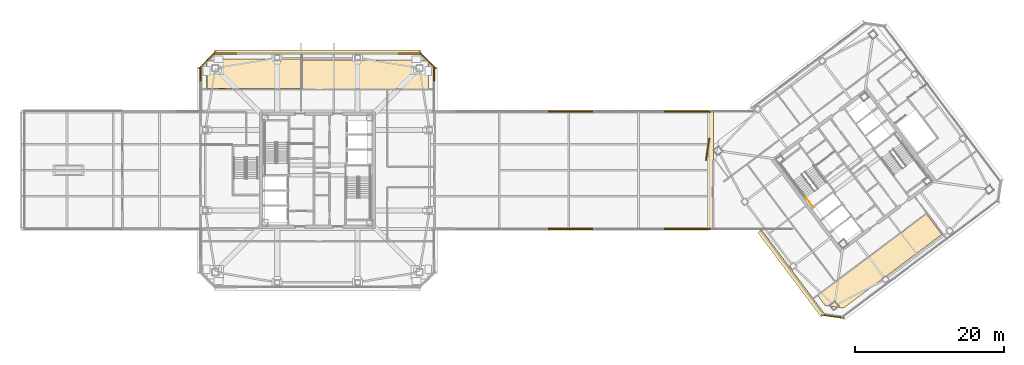
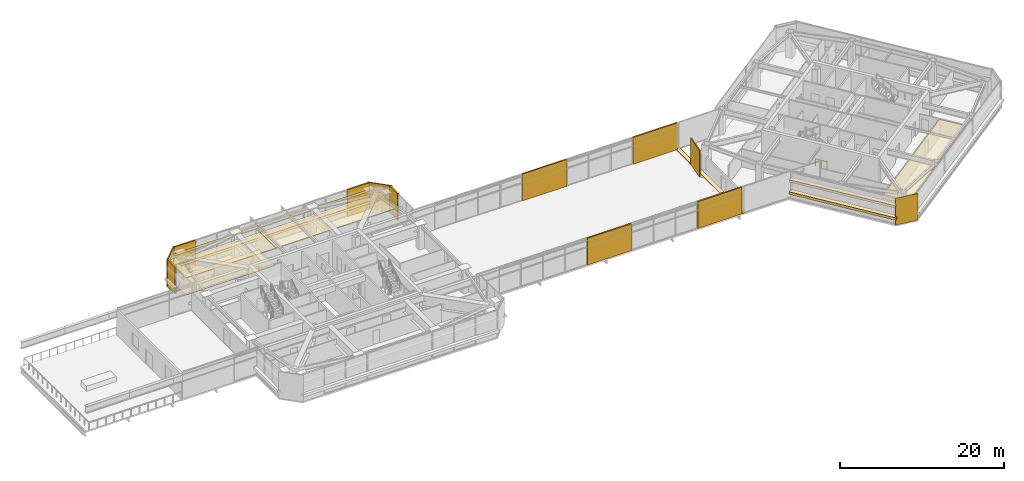
# One storey, part 49 of 51: 21 coverings, 1 railing.
"""IFC4 building model written with IfcOpenShell, lengths in metres."""

from ifc_helpers import new_model, si_unit, direction, frame, origin, origin_2d, place, context, subcontext, project, spatial, polyline, rectangle, outline, extrude, material, layer, layer_set, type_object, element, save


model = new_model("IFC4")

# Units and contexts
model_context = context("Model", 3, precision=1e-05, world=origin(), true_north=direction((0.0, 1.0)))
body_context = subcontext(model_context, "Body", "Model", "MODEL_VIEW")
ifc_project = project(units=[si_unit("LENGTHUNIT", "METRE"), si_unit("AREAUNIT", "SQUARE_METRE"), si_unit("VOLUMEUNIT", "CUBIC_METRE"), si_unit("PLANEANGLEUNIT", "RADIAN"), si_unit("MASSUNIT", "GRAM", prefix="KILO")], contexts=[model_context])

# Site, building, storey
site_placement = place(None, origin())
site = spatial("IfcSite", under=ifc_project, at=site_placement, CompositionType="ELEMENT")
building_placement = place(site_placement, origin())
building = spatial("IfcBuilding", under=site, at=building_placement, Name="Tashvorn Skyway Center", CompositionType="ELEMENT")
storey_placement = place(building_placement, frame((0.0, 0.0, 259.39990234375)))
storey = spatial("IfcBuildingStorey", under=building, at=storey_placement, Name="L70", CompositionType="ELEMENT", Elevation=259.39990234375)

# Coverings
ifc_material_1 = material(Name="Precast concrete C40/50", Category="concrete")
ifc_layer_1 = layer(ifc_material_1, 0.199951171875)
ifc_layer_set_1 = layer_set([ifc_layer_1], Name="Precast concrete C40/50")
covering_type_1 = type_object("IfcCoveringType", Name="COV-BRACE-CLAD", PredefinedType="CLADDING", material=ifc_layer_set_1)
covering_1_placement = place(storey_placement, frame((26.320068359375, 44.800048828125, 0.0), z_axis=(0.0, 0.0, 1.0), x_axis=(0.0, 1.0, 0.0)))
element("IfcCovering", 1, at=covering_1_placement, inside=storey, type_object=covering_type_1, Name="Tower 1 L70 West Curtain Wall B Mega-Brace Cladding Band 1", PredefinedType="CLADDING", context=body_context, shape_type="SweptSolid", body=[
    extrude(rectangle(XDim=1.9599609375, YDim=0.199951171875, at=origin_2d()), origin(), (0.0, 0.0, 1.0), 4.0),
])
for number, where, z_axis, x_axis, name in (
    (2, (29.751220703125, 47.679931640625, 0.0), (0.0, 0.0, 1.0), (1.0, 0.0, 0.0), "Tower 1 L70 North Unitised Curtain Wall Mega-Brace Cladding Band 1"),
    (3, (54.248779296875, 47.679931640625, 0.0), (0.0, 0.0, 1.0), (1.0, 0.0, 0.0), "Tower 1 L70 North Unitised Curtain Wall Mega-Brace Cladding Band 2"),
):
    element("IfcCovering", number, at=place(storey_placement, frame(where, z_axis=z_axis, x_axis=x_axis)), inside=storey, type_object=covering_type_1, Name=name, PredefinedType="CLADDING", context=body_context, shape_type="SweptSolid", body=[
        extrude(rectangle(XDim=3.062255859375, YDim=0.199951171875, at=origin_2d()), origin(), (0.0, 0.0, 1.0), 4.0),
    ])
covering_2_placement = place(storey_placement, frame((57.679931640625, 44.800048828125, 0.0), z_axis=(0.0, 0.0, 1.0), x_axis=(0.0, -1.0, 0.0)))
element("IfcCovering", 4, at=covering_2_placement, inside=storey, type_object=covering_type_1, Name="Tower 1 L70 East Curtain Wall A Mega-Brace Cladding Band 1", PredefinedType="CLADDING", context=body_context, shape_type="SweptSolid", body=[
    extrude(rectangle(XDim=1.9599609375, YDim=0.199951171875, at=origin_2d()), origin(), (0.0, 0.0, 1.0), 4.0),
])
for number, where, z_axis, x_axis, name in (
    (5, (91.5849609375, 24.10009765625, 0.0), (0.0, 0.0, 1.0), (-1.0, 0.0, 0.0), "Sky-Park L70 Bridge South Curtain Wall Mega-Brace Cladding Band 1"),
    (6, (76.010009765625, 24.10009765625, 0.0), (0.0, 0.0, 1.0), (-1.0, 0.0, 0.0), "Sky-Park L70 Bridge South Curtain Wall Mega-Brace Cladding Band 2"),
    (7, (76.010009765625, 39.89990234375, 0.0), (0.0, 0.0, 1.0), (1.0, 0.0, 0.0), "Sky-Park L70 Bridge North Curtain Wall Mega-Brace Cladding Band 2"),
    (8, (91.5849609375, 39.89990234375, 0.0), (0.0, 0.0, 1.0), (1.0, 0.0, 0.0), "Sky-Park L70 Bridge North Curtain Wall Mega-Brace Cladding Band 3"),
):
    element("IfcCovering", number, at=place(storey_placement, frame(where, z_axis=z_axis, x_axis=x_axis)), inside=storey, type_object=covering_type_1, Name=name, PredefinedType="CLADDING", context=body_context, shape_type="SweptSolid", body=[
        extrude(rectangle(XDim=6.22998046875, YDim=0.199951171875, at=origin_2d()), origin(), (0.0, 0.0, 1.0), 4.0),
    ])
ifc_material_2 = material(Name="Mineral-fibre acoustic ceiling tile on suspended grid")
ifc_layer_2 = layer(ifc_material_2, 0.02001953125)
ifc_layer_set_2 = layer_set([ifc_layer_2], Name="Mineral-fibre acoustic ceiling tile on suspended grid")
covering_type_2 = type_object("IfcCoveringType", Name="COV-CEIL-20", PredefinedType="CEILING", material=ifc_layer_set_2)
covering_3_placement = place(storey_placement, frame((0.0, 0.0, 2.63916015625)))
element("IfcCovering", 9, at=covering_3_placement, inside=storey, type_object=covering_type_2, Name="Tower 1 L70 Conference Room Acoustic Ceiling", PredefinedType="CEILING", context=body_context, shape_type="SweptSolid", body=[
    extrude(outline(polyline([(27.10009765625, 42.85009765625), (39.89990234375, 42.85009765625), (39.89990234375, 46.800048828125), (27.10009765625, 46.800048828125), (27.10009765625, 42.85009765625)])), origin(), (0.0, 0.0, 1.0), 0.02001953125),
])
covering_4_placement = place(storey_placement, frame((0.0, 0.0, 2.63916015625)))
element("IfcCovering", 10, at=covering_4_placement, inside=storey, type_object=covering_type_2, Name="Tower 1 L70 Conference Room Acoustic Ceiling", PredefinedType="CEILING", context=body_context, shape_type="SweptSolid", body=[
    extrude(outline(polyline([(39.89990234375, 42.85009765625), (56.89990234375, 42.85009765625), (56.89990234375, 46.800048828125), (39.89990234375, 46.800048828125), (39.89990234375, 42.85009765625)])), origin(), (0.0, 0.0, 1.0), 0.02001953125),
])
covering_5_placement = place(storey_placement, frame((0.0, 0.0, 2.63916015625)))
element("IfcCovering", 11, at=covering_5_placement, inside=storey, type_object=covering_type_2, Name="Tower 2 L70 Conference Room Acoustic Ceiling", PredefinedType="CEILING", context=body_context, shape_type="SweptSolid", body=[
    extrude(outline(polyline([(109.152099609375, 15.1640625), (123.760009765625, 26.1201171875), (125.81201171875, 23.384033203125), (112.612060546875, 13.48388671875), (110.14794921875, 13.8359375), (109.152099609375, 15.1640625)])), origin(), (0.0, 0.0, 1.0), 0.02001953125),
])
ifc_material_3 = material(Name="Polished Mojave desert-aggregate terrazzo and cover plate")
ifc_layer_3 = layer(ifc_material_3, 0.0400390625)
ifc_layer_set_3 = layer_set([ifc_layer_3], Name="Polished Mojave desert-aggregate terrazzo and cover plate")
covering_type_3 = type_object("IfcCoveringType", Name="COV-FLR-40", PredefinedType="FLOORING", material=ifc_layer_set_3)
covering_6_placement = place(storey_placement, origin())
element("IfcCovering", 12, at=covering_6_placement, inside=storey, type_object=covering_type_3, Name="Tower 1 L70 Conference Room Finish Flooring", PredefinedType="FLOORING", context=body_context, shape_type="SweptSolid", body=[
    extrude(outline(polyline([(39.820068359375, 42.929931640625), (27.179931640625, 42.929931640625), (27.179931640625, 44.8798828125), (29.199951171875, 46.89990234375), (39.820068359375, 46.89990234375), (39.820068359375, 42.929931640625)])), origin(), (0.0, 0.0, 1.0), 0.0400390625),
])
covering_7_placement = place(storey_placement, origin())
element("IfcCovering", 13, at=covering_7_placement, inside=storey, type_object=covering_type_3, Name="Sky-Park L70 Seismic Movement Joint Terrazzo Cover Plate", PredefinedType="FLOORING", context=body_context, shape_type="SweptSolid", body=[
    extrude(outline(polyline([(94.550048828125, 24.0), (95.14990234375, 24.0), (95.14990234375, 40.0), (94.550048828125, 40.0), (94.550048828125, 24.0)])), origin(), (0.0, 0.0, 1.0), 0.0400390625),
])
ifc_material_4 = material(Name="Perforated ceramic-coated bronze aluminium solar screen", Category="aluminium")
ifc_layer_4 = layer(ifc_material_4, 0.85009765625)
ifc_layer_set_4 = layer_set([ifc_layer_4], Name="Perforated ceramic-coated bronze aluminium solar screen")
covering_type_4 = type_object("IfcCoveringType", Name="COV-SOLAR-BAND", PredefinedType="CLADDING", material=ifc_layer_set_4)
for number, where, z_axis, x_axis, name in (
    (14, (42.0, 47.820068359375, 0.919921875), (0.0, 0.0, 1.0), (1.0, 0.0, 0.0), "L70 Perforated Ceramic-Metal Solar Screen Louvre Band North 1"),
    (15, (42.0, 47.820068359375, 2.72021484375), (0.0, 0.0, 1.0), (1.0, 0.0, 0.0), "L70 Perforated Ceramic-Metal Solar Screen Louvre Band North 2"),
):
    element("IfcCovering", number, at=place(storey_placement, frame(where, z_axis=z_axis, x_axis=x_axis)), inside=storey, type_object=covering_type_4, Name=name, PredefinedType="CLADDING", context=body_context, shape_type="SweptSolid", body=[
        extrude(rectangle(XDim=27.679931640625, YDim=0.639892578125, at=origin_2d()), origin(), (0.0, 0.0, 1.0), 0.360107421875),
    ])
for number, where, z_axis, x_axis, name in (
    (16, (105.623046875, 18.135986328125, 0.919921875), (0.0, 0.0, 1.0), (-0.600000004945, 0.799999996291, 0.0), "L70 Perforated Ceramic-Metal Solar Screen Louvre Band West 1"),
    (17, (105.623046875, 18.135986328125, 2.72021484375), (0.0, 0.0, 1.0), (-0.600000004945, 0.799999996291, 0.0), "L70 Perforated Ceramic-Metal Solar Screen Louvre Band West 2"),
):
    element("IfcCovering", number, at=place(storey_placement, frame(where, z_axis=z_axis, x_axis=x_axis)), inside=storey, type_object=covering_type_4, Name=name, PredefinedType="CLADDING", context=body_context, shape_type="SweptSolid", body=[
        extrude(rectangle(XDim=14.14990234375, YDim=0.639892578125, at=origin_2d()), origin(), (0.0, 0.0, 1.0), 0.360107421875),
    ])
ifc_layer_5 = layer(ifc_material_1, 0.35009765625)
ifc_layer_set_5 = layer_set([ifc_layer_5], Name="Precast concrete C40/50")
covering_type_5 = type_object("IfcCoveringType", Name="COV-STONE-TRIM", PredefinedType="CLADDING", material=ifc_layer_set_5)
for number, where, z_axis, x_axis, name in (
    (18, (27.22998046875, 46.77001953125, 0.02001953125), (0.0, 0.0, 1.0), (-0.707106781187, -0.707106781187, 0.0), "Tower 1 L70 NW Mojave Limestone Corner Quoin"),
    (19, (56.77001953125, 46.77001953125, 0.02001953125), (0.0, 0.0, 1.0), (0.707106781187, -0.707106781187, 0.0), "Tower 1 L70 NE Mojave Limestone Corner Quoin"),
):
    element("IfcCovering", number, at=place(storey_placement, frame(where, z_axis=z_axis, x_axis=x_axis)), inside=storey, type_object=covering_type_5, Name=name, PredefinedType="CLADDING", context=body_context, shape_type="SweptSolid", body=[
        extrude(rectangle(XDim=3.1298828125, YDim=0.139892578125, at=origin_2d()), origin(), (0.0, 0.0, 1.0), 3.9599609375),
    ])
for number, where, z_axis, x_axis, name in (
    (20, (111.196044921875, 12.3720703125, 0.02001953125), (0.0, 0.0, 1.0), (-0.989949494535, 0.141421350118, 0.0), "Tower 2 L70 SW Mojave Limestone Corner Quoin"),
    (21, (94.3720703125, 34.803955078125, 0.02001953125), (0.0, 0.0, 1.0), (-0.141421350118, -0.989949494535, 0.0), "Tower 2 L70 NW Mojave Limestone Corner Quoin"),
):
    element("IfcCovering", number, at=place(storey_placement, frame(where, z_axis=z_axis, x_axis=x_axis)), inside=storey, type_object=covering_type_5, Name=name, PredefinedType="CLADDING", context=body_context, shape_type="SweptSolid", body=[
        extrude(rectangle(XDim=2.98828125, YDim=0.139892578125, at=origin_2d()), origin(), (0.0, 0.0, 1.0), 3.9599609375),
    ])

# Railing
ifc_material_5 = material(Name="Painted galvanized steel S355", Category="steel")
railing_type = type_object("IfcRailingType", Name="RAIL-STGUARD-1100", PredefinedType="GUARDRAIL", material=ifc_material_5)
railing_placement = place(storey_placement, frame((108.49609375, 27.1220703125, 0.0)))
element("IfcRailing", 22, at=railing_placement, inside=storey, type_object=railing_type, Name="L70 ST-T2-1 stair guard 6", PredefinedType="GUARDRAIL", context=body_context, shape_type="SweptSolid", body=[
    extrude(rectangle(XDim=0.048095703125, YDim=0.048095703125, at=origin_2d()), frame((0.0, 0.0, 1.076171875), z_axis=(-0.600102796382, 0.799922892393, 0.0), x_axis=(-0.799922892393, -0.600102796382, 0.0)), (0.0, 0.0, 1.0), 1.52001953125),
    extrude(rectangle(XDim=0.0419921875, YDim=0.0419921875, at=origin_2d()), origin(), (0.0, 0.0, 1.0), 1.052001953125),
    extrude(rectangle(XDim=0.0419921875, YDim=0.0419921875, at=origin_2d()), frame((-0.4560546875, 0.60791015625, 0.0)), (0.0, 0.0, 1.0), 1.052001953125),
    extrude(rectangle(XDim=0.0419921875, YDim=0.0419921875, at=origin_2d()), frame((-0.912109375, 1.2158203125, 0.0)), (0.0, 0.0, 1.0), 1.052001953125),
])

save(model, "model.ifc")
